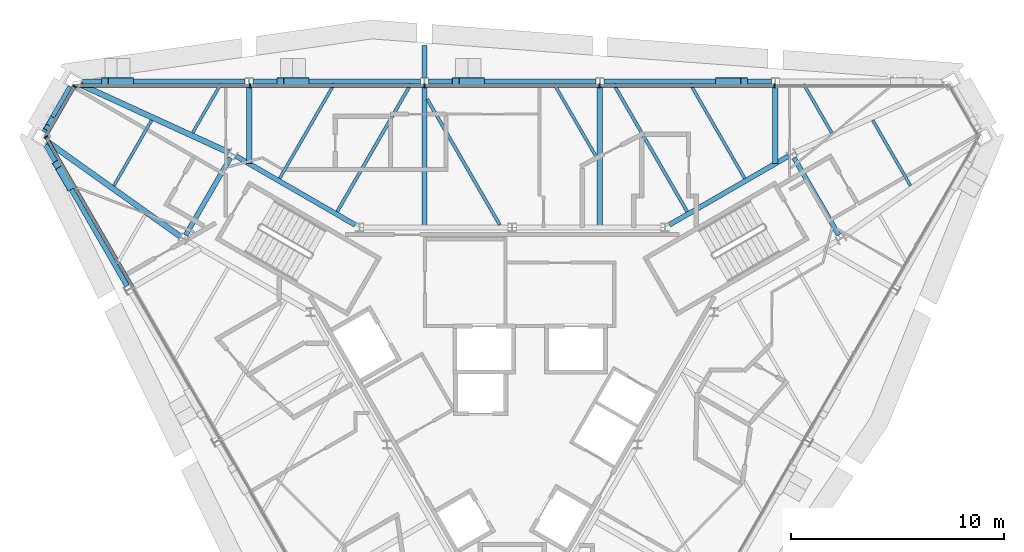
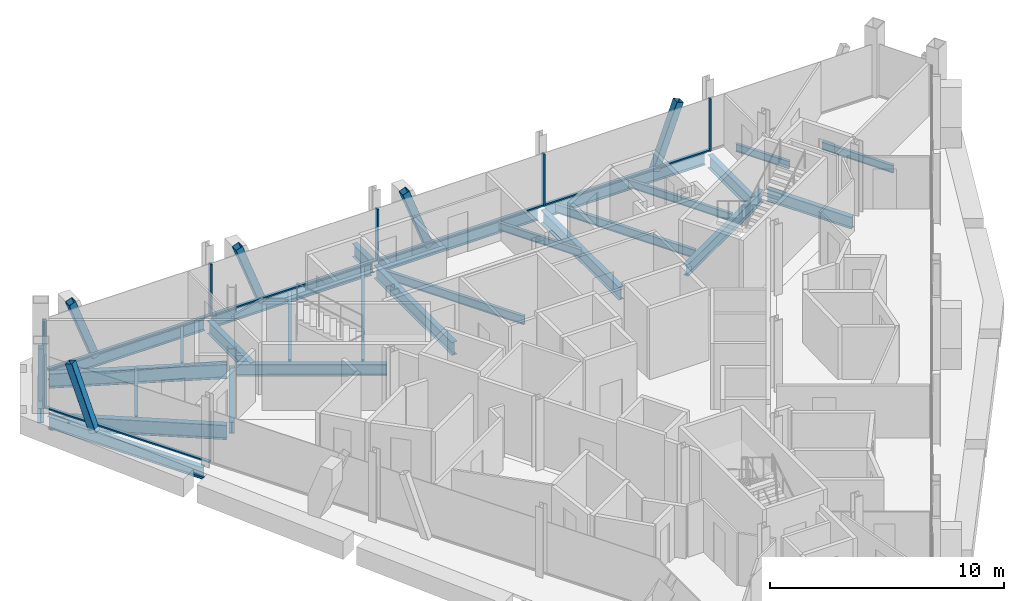
# One storey, part 6 of 15: 27 beams, 18 members, 3 elements without a shape of their own.
"""IFC4 building model written with IfcOpenShell, lengths in metres."""

import ifcopenshell
import ifcopenshell.guid

model = None  # the IFC model being written
_history = None  # IfcOwnerHistory: only IFC2X3 demands one
_inside = {}  # id of a spatial element -> (the spatial element, [elements in it])
_under = {}  # id of a project, library or spatial element -> (it, [spatial elements below it])
_declared = {}  # id of a project -> (the project, [libraries it declares])
_typed = {}  # id of a type object -> (the type object, [elements of that type])
_made_of = {}  # id of a material, layer set ... -> (it, [elements and type objects made of it])


def new_model(schema):
    """Start an empty IFC model of exactly this schema.

    Asked for "IFC4X3", IfcOpenShell would pick the latest addendum, in which some entities
    have other attributes; the version numbers below select the first issue.
    IFC2X3 requires an IfcOwnerHistory on every rooted entity: one is made here for all.
    """
    global model, _history
    if schema == "IFC4X3":
        model = ifcopenshell.file(schema_version=(4, 3, 0, 0))
    else:
        model = ifcopenshell.file(schema=schema)
    _inside.clear()
    _under.clear()
    _declared.clear()
    _typed.clear()
    _made_of.clear()
    _history = None
    if model.schema == "IFC2X3":
        org = make("IfcOrganization", Name="unknown")
        user = make(
            "IfcPersonAndOrganization",
            ThePerson=make("IfcPerson", FamilyName="unknown"),
            TheOrganization=org,
        )
        app = make(
            "IfcApplication",
            ApplicationDeveloper=org,
            Version="unknown",
            ApplicationFullName="unknown",
            ApplicationIdentifier="unknown",
        )
        _history = make(
            "IfcOwnerHistory",
            OwningUser=user,
            OwningApplication=app,
            ChangeAction="ADDED",
            CreationDate=0,
        )
    return model


def make(cls, **values):
    """One entity of the class cls with the attributes given. An attribute that is None is left unset."""
    return model.create_entity(
        cls, **{name: value for name, value in values.items() if value is not None}
    )


def rooted(cls, **values):
    """An entity with a GlobalId (a new one), such as an element, a storey or a relation."""
    return make(cls, GlobalId=ifcopenshell.guid.new(), OwnerHistory=_history, **values)


def si_unit(unit_type, name, prefix=None):
    """IfcSIUnit, for example si_unit("LENGTHUNIT", "METRE", prefix="MILLI")."""
    return make("IfcSIUnit", UnitType=unit_type, Prefix=prefix, Name=name)


def assignment(units):
    """IfcUnitAssignment: the units of a project."""
    return None if units is None else make("IfcUnitAssignment", Units=units)


def point(xyz):
    """IfcCartesianPoint."""
    return None if xyz is None else make("IfcCartesianPoint", Coordinates=xyz)


def direction(xyz):
    """IfcDirection."""
    return None if xyz is None else make("IfcDirection", DirectionRatios=xyz)


def frame(location, z_axis=None, x_axis=None):
    """IfcAxis2Placement3D, a coordinate frame: its origin and axes. An axis left out is left unset."""
    return make(
        "IfcAxis2Placement3D",
        Location=point(location),
        Axis=direction(z_axis),
        RefDirection=direction(x_axis),
    )


def frame_2d(location, x_axis=None):
    """IfcAxis2Placement2D, a coordinate frame in the plane: its origin and x axis."""
    return make(
        "IfcAxis2Placement2D", Location=point(location), RefDirection=direction(x_axis)
    )


def origin():
    """The frame at (0, 0, 0) with its axes left unset."""
    return frame((0.0, 0.0, 0.0))


def origin_2d():
    """The frame at (0, 0) in the plane with its x axis left unset."""
    return frame_2d((0.0, 0.0))


def place(relative_to, where):
    """IfcLocalPlacement: puts the frame where relative to a parent placement (None: the world)."""
    return make(
        "IfcLocalPlacement", PlacementRelTo=relative_to, RelativePlacement=where
    )


def context(
    kind, dimensions, precision=None, world=None, true_north=None, identifier=None
):
    """IfcGeometricRepresentationContext, for example the 3D "Model" context."""
    return make(
        "IfcGeometricRepresentationContext",
        ContextIdentifier=identifier,
        ContextType=kind,
        CoordinateSpaceDimension=dimensions,
        Precision=precision,
        WorldCoordinateSystem=world,
        TrueNorth=true_north,
    )


def subcontext(parent, identifier, kind, view, scale=None):
    """IfcGeometricRepresentationSubContext, for example "Body" below "Model"."""
    return make(
        "IfcGeometricRepresentationSubContext",
        ContextIdentifier=identifier,
        ContextType=kind,
        ParentContext=parent,
        TargetScale=scale,
        TargetView=view,
    )


def project(units=None, contexts=None):
    """IfcProject with its units and contexts."""
    return rooted(
        "IfcProject",
        Name="project",
        RepresentationContexts=contexts,
        UnitsInContext=assignment(units),
    )


def spatial(cls, under=None, at=None, **own):
    """A site, building, storey or space (cls), placed at a placement, below another one or the project."""
    s = rooted(cls, ObjectPlacement=at, **own)
    if under is not None:
        _under.setdefault(under.id(), (under, []))[1].append(s)
    return s


def profile(cls, at=None, kind="AREA", **sizes):
    """A parametric profile (cls). Its sizes go by their IFC names, for example OverallWidth=200.0."""
    return make(cls, ProfileType=kind, Position=at, **sizes)


def rectangle(**sizes):
    """IfcRectangleProfileDef."""
    return profile("IfcRectangleProfileDef", **sizes)


def hollow_rectangle(**sizes):
    """IfcRectangleHollowProfileDef."""
    return profile("IfcRectangleHollowProfileDef", **sizes)


def i_section(**sizes):
    """IfcIShapeProfileDef."""
    return profile("IfcIShapeProfileDef", **sizes)


def extrude(swept, where, along, depth):
    """IfcExtrudedAreaSolid: the profile swept, set in the frame where, extruded along a direction by depth."""
    return make(
        "IfcExtrudedAreaSolid",
        SweptArea=swept,
        Position=where,
        ExtrudedDirection=direction(along),
        Depth=depth,
    )


def shape(context_of_items, identifier, shape_type, items):
    """IfcShapeRepresentation: the items that make up one representation, for example the "Body"."""
    return make(
        "IfcShapeRepresentation",
        ContextOfItems=context_of_items,
        RepresentationIdentifier=identifier,
        RepresentationType=shape_type,
        Items=items,
    )


def material(Name=None, Category=None):
    """IfcMaterial."""
    return make("IfcMaterial", Name=Name, Category=Category)


def material_profile(
    of_material, cross_section, Name=None, Category=None, Priority=None
):
    """IfcMaterialProfile: a cross section and its material."""
    return make(
        "IfcMaterialProfile",
        Name=Name,
        Material=of_material,
        Profile=cross_section,
        Priority=Priority,
        Category=Category,
    )


def profile_set(profiles, Name=None, composite=None):
    """IfcMaterialProfileSet."""
    return make(
        "IfcMaterialProfileSet",
        Name=Name,
        MaterialProfiles=profiles,
        CompositeProfile=composite,
    )


def made_of(thing, what):
    """Note that an element or type object is made of a material, layer set ...; save() writes the relation."""
    if what is not None:
        _made_of.setdefault(what.id(), (what, []))[1].append(thing)
    return thing


def type_object(cls, material=None, **own):
    """A type object (cls), such as IfcWallType, which elements share."""
    return made_of(rooted(cls, **own), material)


def element(
    cls,
    number,
    at=None,
    inside=None,
    cuts=None,
    type_object=None,
    material=None,
    context=None,
    identifier="Body",
    shape_type=None,
    held_by="IfcProductDefinitionShape",
    body=None,
    shapes=None,
    **own,
):
    """One element of the class cls, such as IfcWall. Its Tag is "e" and its number.

    at: its placement. inside: the storey or other place that contains it. cuts: it is an
    opening in that element (IfcRelVoidsElement). A single representation is given by context,
    identifier, shape_type and body (its items); several are given by shapes. held_by: the class
    of the entity that holds the representations. save() writes the other relations.
    """
    e = rooted(cls, Tag="e%d" % number, ObjectPlacement=at, **own)
    if body is not None:
        shapes = [shape(context, identifier, shape_type, body)]
    if shapes is not None:
        e.Representation = make(held_by, Representations=shapes)
    if inside is not None:
        _inside.setdefault(inside.id(), (inside, []))[1].append(e)
    if cuts is not None:
        rooted(
            "IfcRelVoidsElement", RelatingBuildingElement=cuts, RelatedOpeningElement=e
        )
    if type_object is not None:
        _typed.setdefault(type_object.id(), (type_object, []))[1].append(e)
    return made_of(e, material)


def aggregate(whole, parts):
    """IfcRelAggregates: a whole, such as a stair, and the parts it consists of."""
    return rooted("IfcRelAggregates", RelatingObject=whole, RelatedObjects=parts)


def save(model, path):
    """Write the relations noted so far, then the file.

    IfcRelAggregates (storeys below a building ...), IfcRelContainedInSpatialStructure (elements
    in a storey), IfcRelDefinesByType, IfcRelAssociatesMaterial and IfcRelDeclares: one each for
    every whole, place, type object, material and project.
    """
    for whole, parts in _under.values():
        aggregate(whole, parts)
    for where, things in _inside.values():
        rooted(
            "IfcRelContainedInSpatialStructure",
            RelatedElements=things,
            RelatingStructure=where,
        )
    for kind, things in _typed.values():
        rooted("IfcRelDefinesByType", RelatedObjects=things, RelatingType=kind)
    for what, things in _made_of.values():
        rooted("IfcRelAssociatesMaterial", RelatedObjects=things, RelatingMaterial=what)
    for by, libraries in _declared.values():
        rooted("IfcRelDeclares", RelatingContext=by, RelatedDefinitions=libraries)
    model.write(path)


model = new_model("IFC4")

# Units and contexts
model_context = context("Model", 3, precision=1e-05, world=origin(), true_north=direction((0.0, 1.0)))
body_context = subcontext(model_context, "Body", "Model", "MODEL_VIEW")
ifc_project = project(units=[si_unit("LENGTHUNIT", "METRE"), si_unit("AREAUNIT", "SQUARE_METRE"), si_unit("VOLUMEUNIT", "CUBIC_METRE"), si_unit("PLANEANGLEUNIT", "RADIAN"), si_unit("MASSUNIT", "GRAM", prefix="KILO")], contexts=[model_context])

# Site, building, storey
site_placement = place(None, origin())
site = spatial("IfcSite", under=ifc_project, at=site_placement, CompositionType="ELEMENT")
building_placement = place(site_placement, origin())
building = spatial("IfcBuilding", under=site, at=building_placement, Name="Verrane Prism Tower", CompositionType="ELEMENT")
storey_placement = place(building_placement, frame((0.0, 0.0, 301.0)))
storey = spatial("IfcBuildingStorey", under=building, at=storey_placement, Name="L76", CompositionType="ELEMENT", Elevation=301.0)

# Member
ifc_material_1 = material(Name="Steel A500 Grade C", Category="steel")
ifc_material_profile_1 = material_profile(ifc_material_1, hollow_rectangle(XDim=0.25390625, YDim=0.25390625, WallThickness=0.009521484375, InnerFilletRadius=0.0048828125, OuterFilletRadius=0.014404296875, at=origin_2d()), Name="HSS10x10x3/8")
ifc_profile_set_1 = profile_set([ifc_material_profile_1], Name="Steel A500 Grade C")
member_type_1 = type_object("IfcMemberType", Name="Chamfer brace HSS10x10x3/8", PredefinedType="BRACE", material=ifc_profile_set_1)
member_1_placement = place(storey_placement, frame((-21.633544921875, 11.861572265625, -0.24267578125), z_axis=(-0.067861913608, -0.117357529496, 0.990768374017), x_axis=(0.865688187955, -0.500583620621, 0.0)))
element("IfcMember", 1, at=member_1_placement, inside=storey, type_object=member_type_1, Name="Chamfer brace NW0 L76", PredefinedType="BRACE", context=body_context, shape_type="SweptSolid", body=[
    extrude(hollow_rectangle(XDim=0.25390625, YDim=0.25390625, WallThickness=0.009521484375, InnerFilletRadius=0.0048828125, OuterFilletRadius=0.014404296875, at=origin_2d()), origin(), (0.0, 0.0, 1.0), 3.13720703125),
])

# Beams
ifc_material_2 = material(Name="Steel A992", Category="steel")
ifc_material_profile_2 = material_profile(ifc_material_2, i_section(OverallWidth=0.2666015625, OverallDepth=0.7568359375, WebThickness=0.013916015625, FlangeThickness=0.019287109375, FilletRadius=0.0166015625, at=origin_2d()), Name="W30x108")
ifc_profile_set_2 = profile_set([ifc_material_profile_2], Name="Steel A992")
beam_type_1 = type_object("IfcBeamType", Name="Chamfer spandrel beam W30x108", PredefinedType="SPANDREL", material=ifc_profile_set_2)
beam_1_placement = place(storey_placement, frame((-20.75, 13.390380859375, -0.53857421875), z_axis=(-0.500436097356, -0.865773476415, 0.0), x_axis=(0.865773476415, -0.500436097356, 0.0)))
element("IfcBeam", 2, at=beam_1_placement, inside=storey, type_object=beam_type_1, Name="Chamfer spandrel beam L76", PredefinedType="SPANDREL", context=body_context, shape_type="SweptSolid", body=[
    extrude(i_section(OverallWidth=0.2666015625, OverallDepth=0.7568359375, WebThickness=0.013916015625, FlangeThickness=0.019287109375, FilletRadius=0.0166015625, at=origin_2d()), origin(), (0.0, 0.0, 1.0), 2.437744140625),
])
ifc_material_3 = material(Name="Steel A992", Category="steel")
ifc_material_profile_3 = material_profile(ifc_material_3, i_section(OverallWidth=0.23046875, OverallDepth=0.6171875, WebThickness=0.01318359375, FlangeThickness=0.022216796875, FilletRadius=0.012939453125, at=origin_2d()), Name="W24x94")
ifc_profile_set_3 = profile_set([ifc_material_profile_3], Name="Steel A992")
beam_type_2 = type_object("IfcBeamType", Name="Core ring girder W24x94", PredefinedType="BEAM", material=ifc_profile_set_3)
beam_2_placement = place(storey_placement, frame((15.339599609375, 6.43359375, -0.55859375), z_axis=(-0.500306681185, 0.865848268903, 0.0), x_axis=(-0.865848268903, -0.500306681185, 0.0)))
element("IfcBeam", 3, at=beam_2_placement, inside=storey, type_object=beam_type_2, Name="Core ring girder L76", PredefinedType="BEAM", context=body_context, shape_type="SweptSolid", body=[
    extrude(i_section(OverallWidth=0.23046875, OverallDepth=0.6171875, WebThickness=0.01318359375, FlangeThickness=0.022216796875, FilletRadius=0.012939453125, at=origin_2d()), origin(), (0.0, 0.0, 1.0), 4.195556640625),
])
for number, where, z_axis, x_axis, name in (
    (4, (12.96728515625, 10.140380859375, -0.55859375), (-0.866080992722, -0.499903704773, 0.0), (0.499903704773, -0.866080992722, 0.0), "Core ring girder L76"),
    (5, (-7.37939453125, 6.9150390625, -0.55859375), (-0.866080992722, 0.499903704773, 0.0), (-0.499903704773, -0.866080992722, 0.0), "Core ring girder L76"),
):
    element("IfcBeam", number, at=place(storey_placement, frame(where, z_axis=z_axis, x_axis=x_axis)), inside=storey, type_object=beam_type_2, Name=name, PredefinedType="BEAM", context=body_context, shape_type="SweptSolid", body=[
        extrude(i_section(OverallWidth=0.23046875, OverallDepth=0.6171875, WebThickness=0.01318359375, FlangeThickness=0.022216796875, FilletRadius=0.012939453125, at=origin_2d()), origin(), (0.0, 0.0, 1.0), 6.451904296875),
    ])
beam_3_placement = place(storey_placement, frame((-13.240478515625, 10.06640625, -0.55859375), z_axis=(-0.500306681185, -0.865848268903, 0.0), x_axis=(0.865848268903, -0.500306681185, 0.0)))
element("IfcBeam", 6, at=beam_3_placement, inside=storey, type_object=beam_type_2, Name="Core ring girder L76", PredefinedType="BEAM", context=body_context, shape_type="SweptSolid", body=[
    extrude(i_section(OverallWidth=0.23046875, OverallDepth=0.6171875, WebThickness=0.01318359375, FlangeThickness=0.022216796875, FilletRadius=0.012939453125, at=origin_2d()), origin(), (0.0, 0.0, 1.0), 4.195556640625),
])
ifc_material_4 = material(Name="Steel A992", Category="steel")
ifc_material_profile_4 = material_profile(ifc_material_4, i_section(OverallWidth=0.2666015625, OverallDepth=0.7568359375, WebThickness=0.013916015625, FlangeThickness=0.019287109375, FilletRadius=0.0166015625, at=origin_2d()), Name="W30x108")
ifc_profile_set_4 = profile_set([ifc_material_profile_4], Name="Steel A992")
beam_type_3 = type_object("IfcBeamType", Name="Corner girder W30x108", PredefinedType="BEAM", material=ifc_profile_set_4)
for number, where, z_axis, x_axis, name in (
    (7, (-20.2802734375, 13.50390625, -0.598388671875), (0.909481370613, -0.415744677065, 0.0), (0.415744677065, 0.909481370613, 0.0), "Corner girder L76"),
    (8, (-21.833740234375, 10.81591796875, -0.598388671875), (0.814401339816, -0.580302040067, 0.0), (0.580302040067, 0.814401339816, 0.0), "Corner girder L76"),
):
    element("IfcBeam", number, at=place(storey_placement, frame(where, z_axis=z_axis, x_axis=x_axis)), inside=storey, type_object=beam_type_3, Name=name, PredefinedType="BEAM", context=body_context, shape_type="SweptSolid", body=[
        extrude(i_section(OverallWidth=0.2666015625, OverallDepth=0.7568359375, WebThickness=0.013916015625, FlangeThickness=0.019287109375, FilletRadius=0.0166015625, at=origin_2d()), origin(), (0.0, 0.0, 1.0), 7.650634765625),
    ])

# Members
ifc_material_5 = material(Name="Steel A500 Grade C", Category="steel")
ifc_material_profile_5 = material_profile(ifc_material_5, hollow_rectangle(XDim=0.355712890625, YDim=0.355712890625, WallThickness=0.0126953125, InnerFilletRadius=0.00634765625, OuterFilletRadius=0.01904296875, at=origin_2d()), Name="HSS14x14x1/2")
ifc_profile_set_5 = profile_set([ifc_material_profile_5], Name="Steel A500 Grade C")
member_type_2 = type_object("IfcMemberType", Name="Facade brace HSS14x14x1/2", PredefinedType="BRACE", material=ifc_profile_set_5)
for number, where, z_axis, x_axis, name in (
    (9, (9.706787109375, 13.64990234375, -0.216796875), (0.348013925266, 0.0, 0.937489364111), (0.0, 1.0, 0.0), "Facade brace N1 L76"),
    (10, (-1.466796875, 13.64990234375, -0.216796875), (-0.348013925266, 0.0, 0.937489364111), (0.0, -1.0, 0.0), "Facade brace N2 L76"),
    (11, (-9.706787109375, 13.64990234375, -0.216796875), (-0.348013925266, 0.0, 0.937489364111), (0.0, -1.0, 0.0), "Facade brace N3 L76"),
    (12, (-17.94677734375, 13.64990234375, -0.216796875), (-0.348013925266, 0.0, 0.937489364111), (0.0, -1.0, 0.0), "Facade brace N4 L76"),
):
    element("IfcMember", number, at=place(storey_placement, frame(where, z_axis=z_axis, x_axis=x_axis)), inside=storey, type_object=member_type_2, Name=name, PredefinedType="BRACE", context=body_context, shape_type="SweptSolid", body=[
        extrude(hollow_rectangle(XDim=0.355712890625, YDim=0.355712890625, WallThickness=0.0126953125, InnerFilletRadius=0.00634765625, OuterFilletRadius=0.01904296875, at=origin_2d()), origin(), (0.0, 0.0, 1.0), 3.409423828125),
    ])
member_2_placement = place(storey_placement, frame((-20.79345703125, 8.720947265625, -0.216796875), z_axis=(-0.17399901277, 0.301526684269, 0.937446532997), x_axis=(-0.86613421761, -0.499811481546, 0.0)))
element("IfcMember", 13, at=member_2_placement, inside=storey, type_object=member_type_2, Name="Facade brace SW0 L76", PredefinedType="BRACE", context=body_context, shape_type="SweptSolid", body=[
    extrude(hollow_rectangle(XDim=0.355712890625, YDim=0.355712890625, WallThickness=0.0126953125, InnerFilletRadius=0.00634765625, OuterFilletRadius=0.01904296875, at=origin_2d()), origin(), (0.0, 0.0, 1.0), 3.40966796875),
])

# Beams
ifc_material_6 = material(Name="Steel A992", Category="steel")
ifc_material_profile_6 = material_profile(ifc_material_6, i_section(OverallWidth=0.140380859375, OverallDepth=0.40380859375, WebThickness=0.007080078125, FlangeThickness=0.01123046875, FilletRadius=0.01025390625, at=origin_2d()), Name="W16x31")
ifc_profile_set_6 = profile_set([ifc_material_profile_6], Name="Steel A992")
beam_type_4 = type_object("IfcBeamType", Name="Floor beam W16x31", PredefinedType="BEAM", material=ifc_profile_set_6)
beam_4_placement = place(storey_placement, frame((15.01123046875, 11.2421875, -0.36181640625), z_axis=(-0.50007632508, 0.865981332994, 0.0), x_axis=(-0.865981332994, -0.50007632508, 0.0)))
element("IfcBeam", 14, at=beam_4_placement, inside=storey, type_object=beam_type_4, Name="Floor beam L76", PredefinedType="BEAM", context=body_context, shape_type="SweptSolid", body=[
    extrude(i_section(OverallWidth=0.140380859375, OverallDepth=0.40380859375, WebThickness=0.007080078125, FlangeThickness=0.01123046875, FilletRadius=0.01025390625, at=origin_2d()), origin(), (0.0, 0.0, 1.0), 2.6474609375),
])
beam_5_placement = place(storey_placement, frame((10.925048828125, 9.094482421875, -0.36181640625), z_axis=(-0.500005474671, 0.866022242959, 0.0), x_axis=(-0.866022242959, -0.500005474671, 0.0)))
element("IfcBeam", 15, at=beam_5_placement, inside=storey, type_object=beam_type_4, Name="Floor beam L76", PredefinedType="BEAM", context=body_context, shape_type="SweptSolid", body=[
    extrude(i_section(OverallWidth=0.140380859375, OverallDepth=0.40380859375, WebThickness=0.007080078125, FlangeThickness=0.01123046875, FilletRadius=0.01025390625, at=origin_2d()), origin(), (0.0, 0.0, 1.0), 5.12744140625),
])
beam_6_placement = place(storey_placement, frame((3.992919921875, 10.029296875, -0.36181640625), z_axis=(-0.499992196334, 0.866029909186, 0.0), x_axis=(-0.866029909186, -0.499992196334, 0.0)))
element("IfcBeam", 16, at=beam_6_placement, inside=storey, type_object=beam_type_4, Name="Floor beam L76", PredefinedType="BEAM", context=body_context, shape_type="SweptSolid", body=[
    extrude(i_section(OverallWidth=0.140380859375, OverallDepth=0.40380859375, WebThickness=0.007080078125, FlangeThickness=0.01123046875, FilletRadius=0.01025390625, at=origin_2d()), origin(), (0.0, 0.0, 1.0), 4.0478515625),
])
beam_7_placement = place(storey_placement, frame((-10.925048828125, 9.094482421875, -0.36181640625), z_axis=(0.500005474671, 0.866022242959, 0.0), x_axis=(-0.866022242959, 0.500005474671, 0.0)))
element("IfcBeam", 17, at=beam_7_placement, inside=storey, type_object=beam_type_4, Name="Floor beam L76", PredefinedType="BEAM", context=body_context, shape_type="SweptSolid", body=[
    extrude(i_section(OverallWidth=0.140380859375, OverallDepth=0.40380859375, WebThickness=0.007080078125, FlangeThickness=0.01123046875, FilletRadius=0.01025390625, at=origin_2d()), origin(), (0.0, 0.0, 1.0), 5.12744140625),
])
beam_8_placement = place(storey_placement, frame((-15.01123046875, 11.2421875, -0.36181640625), z_axis=(0.50007632508, 0.865981332994, 0.0), x_axis=(-0.865981332994, 0.50007632508, 0.0)))
element("IfcBeam", 18, at=beam_8_placement, inside=storey, type_object=beam_type_4, Name="Floor beam L76", PredefinedType="BEAM", context=body_context, shape_type="SweptSolid", body=[
    extrude(i_section(OverallWidth=0.140380859375, OverallDepth=0.40380859375, WebThickness=0.007080078125, FlangeThickness=0.01123046875, FilletRadius=0.01025390625, at=origin_2d()), origin(), (0.0, 0.0, 1.0), 2.6474609375),
])
for number, where, z_axis, x_axis, name in (
    (19, (18.712158203125, 8.755615234375, -0.36181640625), (-0.499986454343, 0.866033224232, 0.0), (-0.866033224232, -0.499986454343, 0.0), "Floor beam L76"),
    (20, (-18.712158203125, 8.755615234375, -0.36181640625), (0.499986454343, 0.866033224232, 0.0), (-0.866033224232, 0.499986454343, 0.0), "Floor beam L76"),
):
    element("IfcBeam", number, at=place(storey_placement, frame(where, z_axis=z_axis, x_axis=x_axis)), inside=storey, type_object=beam_type_4, Name=name, PredefinedType="BEAM", context=body_context, shape_type="SweptSolid", body=[
        extrude(i_section(OverallWidth=0.140380859375, OverallDepth=0.40380859375, WebThickness=0.007080078125, FlangeThickness=0.01123046875, FilletRadius=0.01025390625, at=origin_2d()), origin(), (0.0, 0.0, 1.0), 3.548828125),
    ])
ifc_material_7 = material(Name="Steel A992", Category="steel")
ifc_material_profile_7 = material_profile(ifc_material_7, i_section(OverallWidth=0.15234375, OverallDepth=0.449462890625, WebThickness=0.007568359375, FlangeThickness=0.0107421875, FilletRadius=0.01025390625, at=origin_2d()), Name="W18x35")
ifc_profile_set_7 = profile_set([ifc_material_profile_7], Name="Steel A992")
beam_type_5 = type_object("IfcBeamType", Name="Floor beam W18x35", PredefinedType="BEAM", material=ifc_profile_set_7)
beam_9_placement = place(storey_placement, frame((8.22265625, 7.53466796875, -0.384765625), z_axis=(-0.500012221024, 0.866018347858, 0.0), x_axis=(-0.866018347858, -0.500012221024, 0.0)))
element("IfcBeam", 21, at=beam_9_placement, inside=storey, type_object=beam_type_5, Name="Floor beam L76", PredefinedType="BEAM", context=body_context, shape_type="SweptSolid", body=[
    extrude(i_section(OverallWidth=0.15234375, OverallDepth=0.449462890625, WebThickness=0.007568359375, FlangeThickness=0.0107421875, FilletRadius=0.01025390625, at=origin_2d()), origin(), (0.0, 0.0, 1.0), 6.928466796875),
])
beam_10_placement = place(storey_placement, frame((-0.583251953125, 6.9150390625, -0.384765625), z_axis=(-0.499997234054, 0.866027000698, 0.0), x_axis=(-0.866027000698, -0.499997234054, 0.0)))
element("IfcBeam", 22, at=beam_10_placement, inside=storey, type_object=beam_type_5, Name="Floor beam L76", PredefinedType="BEAM", context=body_context, shape_type="SweptSolid", body=[
    extrude(i_section(OverallWidth=0.15234375, OverallDepth=0.449462890625, WebThickness=0.007568359375, FlangeThickness=0.0107421875, FilletRadius=0.01025390625, at=origin_2d()), origin(), (0.0, 0.0, 1.0), 6.8193359375),
])
beam_11_placement = place(storey_placement, frame((-8.22265625, 7.53466796875, -0.384765625), z_axis=(0.500012221024, 0.866018347858, 0.0), x_axis=(-0.866018347858, 0.500012221024, 0.0)))
element("IfcBeam", 23, at=beam_11_placement, inside=storey, type_object=beam_type_5, Name="Floor beam L76", PredefinedType="BEAM", context=body_context, shape_type="SweptSolid", body=[
    extrude(i_section(OverallWidth=0.15234375, OverallDepth=0.449462890625, WebThickness=0.007568359375, FlangeThickness=0.0107421875, FilletRadius=0.01025390625, at=origin_2d()), origin(), (0.0, 0.0, 1.0), 6.928466796875),
])

# Curtain wall, members
ifc_material_8 = material(Name="Aluminium framed insulated glazing", Category="aluminium")
curtain_wall_type = type_object("IfcCurtainWallType", Name="Curtain wall CW-A 8400 module", PredefinedType="NOTDEFINED", material=ifc_material_8)
curtain_wall_1_placement = place(storey_placement, origin())
curtain_wall_1 = element("IfcCurtainWall", 24, at=curtain_wall_1_placement, inside=storey, type_object=curtain_wall_type, Name="Glazed curtain wall north face L76", PredefinedType="NOTDEFINED")
ifc_material_9 = material(Name="Aluminium alloy 6063-T6", Category="aluminium")
ifc_material_profile_8 = material_profile(ifc_material_9, rectangle(XDim=0.199951171875, YDim=0.070068359375, at=origin_2d()), Name="Mullion 70x200 aluminium")
ifc_profile_set_8 = profile_set([ifc_material_profile_8], Name="Aluminium alloy 6063-T6")
member_type_3 = type_object("IfcMemberType", Name="Mullion 70x200 aluminium", PredefinedType="MULLION", material=ifc_profile_set_8)
member_3_placement = place(storey_placement, frame((12.32763671875, 13.447265625, 0.0), z_axis=(0.0, 0.0, 1.0), x_axis=(0.0, -1.0, 0.0)))
member_3 = element("IfcMember", 25, at=member_3_placement, type_object=member_type_3, Name="CW75.2 mullion 2", PredefinedType="MULLION", context=body_context, shape_type="SweptSolid", body=[
    extrude(rectangle(XDim=0.199951171875, YDim=0.070068359375, at=origin_2d()), origin(), (0.0, 0.0, 1.0), 2.72314453125),
])
member_4_placement = place(storey_placement, frame((4.109130859375, 13.447265625, 0.0), z_axis=(0.0, 0.0, 1.0), x_axis=(0.0, -1.0, 0.0)))
member_4 = element("IfcMember", 26, at=member_4_placement, type_object=member_type_3, Name="CW75.2 mullion 3", PredefinedType="MULLION", context=body_context, shape_type="SweptSolid", body=[
    extrude(rectangle(XDim=0.199951171875, YDim=0.070068359375, at=origin_2d()), origin(), (0.0, 0.0, 1.0), 2.72314453125),
])
member_5_placement = place(storey_placement, frame((-4.109130859375, 13.447265625, 0.0), z_axis=(0.0, 0.0, 1.0), x_axis=(0.0, -1.0, 0.0)))
member_5 = element("IfcMember", 27, at=member_5_placement, type_object=member_type_3, Name="CW75.2 mullion 4", PredefinedType="MULLION", context=body_context, shape_type="SweptSolid", body=[
    extrude(rectangle(XDim=0.199951171875, YDim=0.070068359375, at=origin_2d()), origin(), (0.0, 0.0, 1.0), 2.72314453125),
])
member_6_placement = place(storey_placement, frame((-12.32763671875, 13.447265625, 0.0), z_axis=(0.0, 0.0, 1.0), x_axis=(0.0, -1.0, 0.0)))
member_6 = element("IfcMember", 28, at=member_6_placement, type_object=member_type_3, Name="CW75.2 mullion 5", PredefinedType="MULLION", context=body_context, shape_type="SweptSolid", body=[
    extrude(rectangle(XDim=0.199951171875, YDim=0.070068359375, at=origin_2d()), origin(), (0.0, 0.0, 1.0), 2.72314453125),
])

# Curtain wall, member
curtain_wall_2_placement = place(storey_placement, origin())
curtain_wall_2 = element("IfcCurtainWall", 29, at=curtain_wall_2_placement, inside=storey, type_object=curtain_wall_type, Name="Glazed curtain wall north-west corner L76", PredefinedType="NOTDEFINED")
member_7_placement = place(storey_placement, frame((-20.563720703125, 13.4169921875, 0.0), z_axis=(0.0, 0.0, 1.0), x_axis=(0.866024225493, -0.500002040855, 0.0)))
member_7 = element("IfcMember", 30, at=member_7_placement, type_object=member_type_3, Name="CW75.3 mullion 1", PredefinedType="MULLION", context=body_context, shape_type="SweptSolid", body=[
    extrude(rectangle(XDim=0.199951171875, YDim=0.070068359375, at=origin_2d()), origin(), (0.0, 0.0, 1.0), 2.72314453125),
])

curtain_wall_3_placement = place(storey_placement, origin())
curtain_wall_3 = element("IfcCurtainWall", 31, at=curtain_wall_3_placement, inside=storey, type_object=curtain_wall_type, Name="Glazed curtain wall south-west face L76", PredefinedType="NOTDEFINED")
member_8_placement = place(storey_placement, frame((-21.901123046875, 11.03955078125, 0.0), z_axis=(0.0, 0.0, 1.0), x_axis=(0.866024861728, 0.500000938868, 0.0)))
member_8 = element("IfcMember", 32, at=member_8_placement, type_object=member_type_3, Name="CW75.4 mullion 1", PredefinedType="MULLION", context=body_context, shape_type="SweptSolid", body=[
    extrude(rectangle(XDim=0.199951171875, YDim=0.070068359375, at=origin_2d()), origin(), (0.0, 0.0, 1.0), 2.72314453125),
])

# Beams
ifc_material_10 = material(Name="Steel A992", Category="steel")
ifc_material_profile_9 = material_profile(ifc_material_10, i_section(OverallWidth=0.25390625, OverallDepth=0.683349609375, WebThickness=0.012451171875, FlangeThickness=0.01904296875, FilletRadius=0.01513671875, at=origin_2d()), Name="W27x94")
ifc_profile_set_9 = profile_set([ifc_material_profile_9], Name="Steel A992")
beam_type_6 = type_object("IfcBeamType", Name="Radial girder W27x94", PredefinedType="BEAM", material=ifc_profile_set_9)
beam_12_placement = place(storey_placement, frame((12.360107421875, 13.4658203125, -0.5615234375), z_axis=(0.0, -1.0, 0.0), x_axis=(1.0, 0.0, 0.0)))
element("IfcBeam", 33, at=beam_12_placement, inside=storey, type_object=beam_type_6, Name="Radial girder L76", PredefinedType="BEAM", context=body_context, shape_type="SweptSolid", body=[
    extrude(i_section(OverallWidth=0.25390625, OverallDepth=0.683349609375, WebThickness=0.012451171875, FlangeThickness=0.01904296875, FilletRadius=0.01513671875, at=origin_2d()), origin(), (0.0, 0.0, 1.0), 3.676025390625),
])
for number, where, z_axis, x_axis, name in (
    (34, (4.1201171875, 13.4658203125, -0.5615234375), (0.0, -1.0, 0.0), (1.0, 0.0, 0.0), "Radial girder L76"),
    (35, (-4.1201171875, 13.4658203125, -0.5615234375), (0.0, -1.0, 0.0), (1.0, 0.0, 0.0), "Radial girder L76"),
):
    element("IfcBeam", number, at=place(storey_placement, frame(where, z_axis=z_axis, x_axis=x_axis)), inside=storey, type_object=beam_type_6, Name=name, PredefinedType="BEAM", context=body_context, shape_type="SweptSolid", body=[
        extrude(i_section(OverallWidth=0.25390625, OverallDepth=0.683349609375, WebThickness=0.012451171875, FlangeThickness=0.01904296875, FilletRadius=0.01513671875, at=origin_2d()), origin(), (0.0, 0.0, 1.0), 6.665771484375),
    ])
beam_13_placement = place(storey_placement, frame((-12.360107421875, 13.4658203125, -0.5615234375), z_axis=(0.0, -1.0, 0.0), x_axis=(1.0, 0.0, 0.0)))
element("IfcBeam", 36, at=beam_13_placement, inside=storey, type_object=beam_type_6, Name="Radial girder L76", PredefinedType="BEAM", context=body_context, shape_type="SweptSolid", body=[
    extrude(i_section(OverallWidth=0.25390625, OverallDepth=0.683349609375, WebThickness=0.012451171875, FlangeThickness=0.01904296875, FilletRadius=0.01513671875, at=origin_2d()), origin(), (0.0, 0.0, 1.0), 3.676025390625),
])
beam_14_placement = place(storey_placement, frame((-4.1201171875, 13.830078125, -0.5615234375), z_axis=(0.0, 1.0, 0.0), x_axis=(-1.0, 0.0, 0.0)))
element("IfcBeam", 37, at=beam_14_placement, inside=storey, type_object=beam_type_6, Name="Cantilever girder L76", PredefinedType="BEAM", context=body_context, shape_type="SweptSolid", body=[
    extrude(i_section(OverallWidth=0.25390625, OverallDepth=0.683349609375, WebThickness=0.012451171875, FlangeThickness=0.01904296875, FilletRadius=0.01513671875, at=origin_2d()), origin(), (0.0, 0.0, 1.0), 1.5029296875),
])
ifc_material_11 = material(Name="Steel A992", Category="steel")
ifc_material_profile_10 = material_profile(ifc_material_11, i_section(OverallWidth=0.23046875, OverallDepth=0.6171875, WebThickness=0.01318359375, FlangeThickness=0.022216796875, FilletRadius=0.012939453125, at=origin_2d()), Name="W24x94")
ifc_profile_set_10 = profile_set([ifc_material_profile_10], Name="Steel A992")
beam_type_7 = type_object("IfcBeamType", Name="Spandrel beam W24x94", PredefinedType="SPANDREL", material=ifc_profile_set_10)
for number, where, z_axis, x_axis, name in (
    (38, (12.17333984375, 13.64990234375, -0.468505859375), (-1.0, 0.0, 0.0), (0.0, -1.0, 0.0), "Spandrel beam L76"),
    (39, (3.933349609375, 13.64990234375, -0.468505859375), (-1.0, 0.0, 0.0), (0.0, -1.0, 0.0), "Spandrel beam L76"),
    (40, (-4.306640625, 13.64990234375, -0.468505859375), (-1.0, 0.0, 0.0), (0.0, -1.0, 0.0), "Spandrel beam L76"),
):
    element("IfcBeam", number, at=place(storey_placement, frame(where, z_axis=z_axis, x_axis=x_axis)), inside=storey, type_object=beam_type_7, Name=name, PredefinedType="SPANDREL", context=body_context, shape_type="SweptSolid", body=[
        extrude(i_section(OverallWidth=0.23046875, OverallDepth=0.6171875, WebThickness=0.01318359375, FlangeThickness=0.022216796875, FilletRadius=0.012939453125, at=origin_2d()), origin(), (0.0, 0.0, 1.0), 7.86669921875),
    ])
beam_15_placement = place(storey_placement, frame((-12.546630859375, 13.64990234375, -0.468505859375), z_axis=(-1.0, 0.0, 0.0), x_axis=(0.0, -1.0, 0.0)))
element("IfcBeam", 41, at=beam_15_placement, inside=storey, type_object=beam_type_7, Name="Spandrel beam L76", PredefinedType="SPANDREL", context=body_context, shape_type="SweptSolid", body=[
    extrude(i_section(OverallWidth=0.23046875, OverallDepth=0.6171875, WebThickness=0.01318359375, FlangeThickness=0.022216796875, FilletRadius=0.012939453125, at=origin_2d()), origin(), (0.0, 0.0, 1.0), 7.649169921875),
])
beam_16_placement = place(storey_placement, frame((-21.91796875, 10.669921875, -0.468505859375), z_axis=(0.499797022492, -0.866142561192, 0.0), x_axis=(0.866142561192, 0.499797022492, 0.0)))
element("IfcBeam", 42, at=beam_16_placement, inside=storey, type_object=beam_type_7, Name="Spandrel beam L76", PredefinedType="SPANDREL", context=body_context, shape_type="SweptSolid", body=[
    extrude(i_section(OverallWidth=0.23046875, OverallDepth=0.6171875, WebThickness=0.01318359375, FlangeThickness=0.022216796875, FilletRadius=0.012939453125, at=origin_2d()), origin(), (0.0, 0.0, 1.0), 7.652587890625),
])

# Member
ifc_material_12 = material(Name="Aluminium alloy 6063-T6", Category="aluminium")
ifc_material_profile_11 = material_profile(ifc_material_12, rectangle(XDim=0.14990234375, YDim=0.070068359375, at=origin_2d()), Name="Transom 70x150 aluminium")
ifc_profile_set_11 = profile_set([ifc_material_profile_11], Name="Aluminium alloy 6063-T6")
member_type_4 = type_object("IfcMemberType", Name="Transom 70x150 aluminium", PredefinedType="USERDEFINED", material=ifc_profile_set_11)
member_9_placement = place(storey_placement, frame((12.292724609375, 13.447265625, 0.034912109375), z_axis=(-1.0, 0.0, 0.0), x_axis=(0.0, -1.0, 0.0)))
member_9 = element("IfcMember", 43, at=member_9_placement, type_object=member_type_4, Name="CW75.2 transom 2", ObjectType="TRANSOM", PredefinedType="USERDEFINED", context=body_context, shape_type="SweptSolid", body=[
    extrude(rectangle(XDim=0.14990234375, YDim=0.070068359375, at=origin_2d()), origin(), (0.0, 0.0, 1.0), 8.1484375),
])

member_10_placement = place(storey_placement, frame((4.07421875, 13.447265625, 0.034912109375), z_axis=(-1.0, 0.0, 0.0), x_axis=(0.0, -1.0, 0.0)))
member_10 = element("IfcMember", 44, at=member_10_placement, type_object=member_type_4, Name="CW75.2 transom 3", ObjectType="TRANSOM", PredefinedType="USERDEFINED", context=body_context, shape_type="SweptSolid", body=[
    extrude(rectangle(XDim=0.14990234375, YDim=0.070068359375, at=origin_2d()), origin(), (0.0, 0.0, 1.0), 8.1484375),
])

member_11_placement = place(storey_placement, frame((-4.144287109375, 13.447265625, 0.034912109375), z_axis=(-1.0, 0.0, 0.0), x_axis=(0.0, -1.0, 0.0)))
member_11 = element("IfcMember", 45, at=member_11_placement, type_object=member_type_4, Name="CW75.2 transom 4", ObjectType="TRANSOM", PredefinedType="USERDEFINED", context=body_context, shape_type="SweptSolid", body=[
    extrude(rectangle(XDim=0.14990234375, YDim=0.070068359375, at=origin_2d()), origin(), (0.0, 0.0, 1.0), 8.1484375),
])

member_12_placement = place(storey_placement, frame((-12.362548828125, 13.447265625, 0.034912109375), z_axis=(-1.0, 0.0, 0.0), x_axis=(0.0, -1.0, 0.0)))
member_12 = element("IfcMember", 46, at=member_12_placement, type_object=member_type_4, Name="CW75.2 transom 5", ObjectType="TRANSOM", PredefinedType="USERDEFINED", context=body_context, shape_type="SweptSolid", body=[
    extrude(rectangle(XDim=0.14990234375, YDim=0.070068359375, at=origin_2d()), origin(), (0.0, 0.0, 1.0), 8.18359375),
])

aggregate(curtain_wall_1, [member_3, member_4, member_5, member_6, member_9, member_10, member_11, member_12])

member_13_placement = place(storey_placement, frame((-20.5810546875, 13.386474609375, 0.034912109375), z_axis=(-0.50003581814, -0.866004723184, 0.0), x_axis=(0.866004723184, -0.50003581814, 0.0)))
member_13 = element("IfcMember", 47, at=member_13_placement, type_object=member_type_4, Name="CW75.3 transom 1", ObjectType="TRANSOM", PredefinedType="USERDEFINED", context=body_context, shape_type="SweptSolid", body=[
    extrude(rectangle(XDim=0.14990234375, YDim=0.070068359375, at=origin_2d()), origin(), (0.0, 0.0, 1.0), 2.675048828125),
])

aggregate(curtain_wall_2, [member_7, member_13])

member_14_placement = place(storey_placement, frame((-21.8837890625, 11.00927734375, 0.034912109375), z_axis=(0.500006361831, -0.866021730749, 0.0), x_axis=(0.866021730749, 0.500006361831, 0.0)))
member_14 = element("IfcMember", 48, at=member_14_placement, type_object=member_type_4, Name="CW75.4 transom 1", ObjectType="TRANSOM", PredefinedType="USERDEFINED", context=body_context, shape_type="SweptSolid", body=[
    extrude(rectangle(XDim=0.14990234375, YDim=0.070068359375, at=origin_2d()), origin(), (0.0, 0.0, 1.0), 8.11376953125),
])

aggregate(curtain_wall_3, [member_8, member_14])

save(model, "model.ifc")
